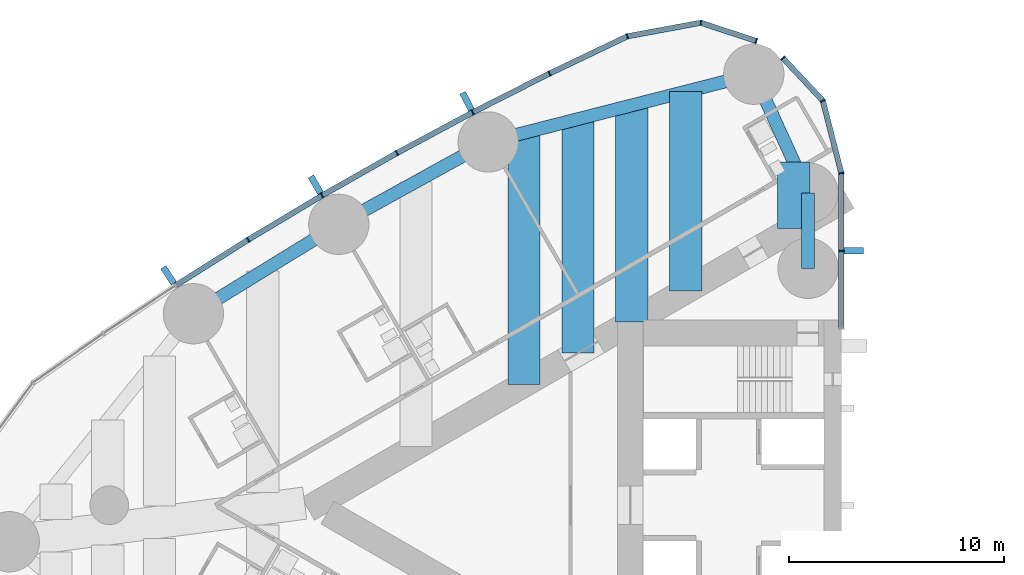
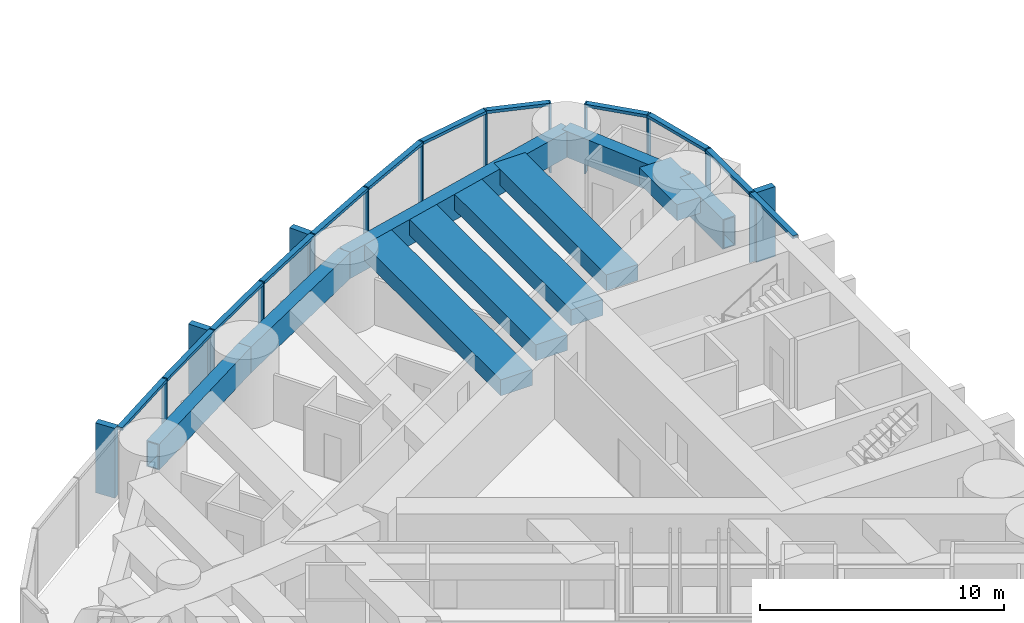
# One storey, part 5 of 21: 28 members, 10 beams, 2 elements without a shape of their own.
"""IFC4 building model written with IfcOpenShell, lengths in metres."""

import ifcopenshell
import ifcopenshell.guid

model = None  # the IFC model being written
_history = None  # IfcOwnerHistory: only IFC2X3 demands one
_inside = {}  # id of a spatial element -> (the spatial element, [elements in it])
_under = {}  # id of a project, library or spatial element -> (it, [spatial elements below it])
_declared = {}  # id of a project -> (the project, [libraries it declares])
_typed = {}  # id of a type object -> (the type object, [elements of that type])
_made_of = {}  # id of a material, layer set ... -> (it, [elements and type objects made of it])


def new_model(schema):
    """Start an empty IFC model of exactly this schema.

    Asked for "IFC4X3", IfcOpenShell would pick the latest addendum, in which some entities
    have other attributes; the version numbers below select the first issue.
    IFC2X3 requires an IfcOwnerHistory on every rooted entity: one is made here for all.
    """
    global model, _history
    if schema == "IFC4X3":
        model = ifcopenshell.file(schema_version=(4, 3, 0, 0))
    else:
        model = ifcopenshell.file(schema=schema)
    _inside.clear()
    _under.clear()
    _declared.clear()
    _typed.clear()
    _made_of.clear()
    _history = None
    if model.schema == "IFC2X3":
        org = make("IfcOrganization", Name="unknown")
        user = make(
            "IfcPersonAndOrganization",
            ThePerson=make("IfcPerson", FamilyName="unknown"),
            TheOrganization=org,
        )
        app = make(
            "IfcApplication",
            ApplicationDeveloper=org,
            Version="unknown",
            ApplicationFullName="unknown",
            ApplicationIdentifier="unknown",
        )
        _history = make(
            "IfcOwnerHistory",
            OwningUser=user,
            OwningApplication=app,
            ChangeAction="ADDED",
            CreationDate=0,
        )
    return model


def make(cls, **values):
    """One entity of the class cls with the attributes given. An attribute that is None is left unset."""
    return model.create_entity(
        cls, **{name: value for name, value in values.items() if value is not None}
    )


def rooted(cls, **values):
    """An entity with a GlobalId (a new one), such as an element, a storey or a relation."""
    return make(cls, GlobalId=ifcopenshell.guid.new(), OwnerHistory=_history, **values)


def si_unit(unit_type, name, prefix=None):
    """IfcSIUnit, for example si_unit("LENGTHUNIT", "METRE", prefix="MILLI")."""
    return make("IfcSIUnit", UnitType=unit_type, Prefix=prefix, Name=name)


def assignment(units):
    """IfcUnitAssignment: the units of a project."""
    return None if units is None else make("IfcUnitAssignment", Units=units)


def point(xyz):
    """IfcCartesianPoint."""
    return None if xyz is None else make("IfcCartesianPoint", Coordinates=xyz)


def direction(xyz):
    """IfcDirection."""
    return None if xyz is None else make("IfcDirection", DirectionRatios=xyz)


def frame(location, z_axis=None, x_axis=None):
    """IfcAxis2Placement3D, a coordinate frame: its origin and axes. An axis left out is left unset."""
    return make(
        "IfcAxis2Placement3D",
        Location=point(location),
        Axis=direction(z_axis),
        RefDirection=direction(x_axis),
    )


def frame_2d(location, x_axis=None):
    """IfcAxis2Placement2D, a coordinate frame in the plane: its origin and x axis."""
    return make(
        "IfcAxis2Placement2D", Location=point(location), RefDirection=direction(x_axis)
    )


def origin():
    """The frame at (0, 0, 0) with its axes left unset."""
    return frame((0.0, 0.0, 0.0))


def origin_2d():
    """The frame at (0, 0) in the plane with its x axis left unset."""
    return frame_2d((0.0, 0.0))


def place(relative_to, where):
    """IfcLocalPlacement: puts the frame where relative to a parent placement (None: the world)."""
    return make(
        "IfcLocalPlacement", PlacementRelTo=relative_to, RelativePlacement=where
    )


def context(
    kind, dimensions, precision=None, world=None, true_north=None, identifier=None
):
    """IfcGeometricRepresentationContext, for example the 3D "Model" context."""
    return make(
        "IfcGeometricRepresentationContext",
        ContextIdentifier=identifier,
        ContextType=kind,
        CoordinateSpaceDimension=dimensions,
        Precision=precision,
        WorldCoordinateSystem=world,
        TrueNorth=true_north,
    )


def subcontext(parent, identifier, kind, view, scale=None):
    """IfcGeometricRepresentationSubContext, for example "Body" below "Model"."""
    return make(
        "IfcGeometricRepresentationSubContext",
        ContextIdentifier=identifier,
        ContextType=kind,
        ParentContext=parent,
        TargetScale=scale,
        TargetView=view,
    )


def project(units=None, contexts=None):
    """IfcProject with its units and contexts."""
    return rooted(
        "IfcProject",
        Name="project",
        RepresentationContexts=contexts,
        UnitsInContext=assignment(units),
    )


def spatial(cls, under=None, at=None, **own):
    """A site, building, storey or space (cls), placed at a placement, below another one or the project."""
    s = rooted(cls, ObjectPlacement=at, **own)
    if under is not None:
        _under.setdefault(under.id(), (under, []))[1].append(s)
    return s


def profile(cls, at=None, kind="AREA", **sizes):
    """A parametric profile (cls). Its sizes go by their IFC names, for example OverallWidth=200.0."""
    return make(cls, ProfileType=kind, Position=at, **sizes)


def rectangle(**sizes):
    """IfcRectangleProfileDef."""
    return profile("IfcRectangleProfileDef", **sizes)


def hollow_rectangle(**sizes):
    """IfcRectangleHollowProfileDef."""
    return profile("IfcRectangleHollowProfileDef", **sizes)


def extrude(swept, where, along, depth):
    """IfcExtrudedAreaSolid: the profile swept, set in the frame where, extruded along a direction by depth."""
    return make(
        "IfcExtrudedAreaSolid",
        SweptArea=swept,
        Position=where,
        ExtrudedDirection=direction(along),
        Depth=depth,
    )


def shape(context_of_items, identifier, shape_type, items):
    """IfcShapeRepresentation: the items that make up one representation, for example the "Body"."""
    return make(
        "IfcShapeRepresentation",
        ContextOfItems=context_of_items,
        RepresentationIdentifier=identifier,
        RepresentationType=shape_type,
        Items=items,
    )


def material(Name=None, Category=None):
    """IfcMaterial."""
    return make("IfcMaterial", Name=Name, Category=Category)


def material_profile(
    of_material, cross_section, Name=None, Category=None, Priority=None
):
    """IfcMaterialProfile: a cross section and its material."""
    return make(
        "IfcMaterialProfile",
        Name=Name,
        Material=of_material,
        Profile=cross_section,
        Priority=Priority,
        Category=Category,
    )


def profile_set(profiles, Name=None, composite=None):
    """IfcMaterialProfileSet."""
    return make(
        "IfcMaterialProfileSet",
        Name=Name,
        MaterialProfiles=profiles,
        CompositeProfile=composite,
    )


def made_of(thing, what):
    """Note that an element or type object is made of a material, layer set ...; save() writes the relation."""
    if what is not None:
        _made_of.setdefault(what.id(), (what, []))[1].append(thing)
    return thing


def type_object(cls, material=None, **own):
    """A type object (cls), such as IfcWallType, which elements share."""
    return made_of(rooted(cls, **own), material)


def element(
    cls,
    number,
    at=None,
    inside=None,
    cuts=None,
    type_object=None,
    material=None,
    context=None,
    identifier="Body",
    shape_type=None,
    held_by="IfcProductDefinitionShape",
    body=None,
    shapes=None,
    **own,
):
    """One element of the class cls, such as IfcWall. Its Tag is "e" and its number.

    at: its placement. inside: the storey or other place that contains it. cuts: it is an
    opening in that element (IfcRelVoidsElement). A single representation is given by context,
    identifier, shape_type and body (its items); several are given by shapes. held_by: the class
    of the entity that holds the representations. save() writes the other relations.
    """
    e = rooted(cls, Tag="e%d" % number, ObjectPlacement=at, **own)
    if body is not None:
        shapes = [shape(context, identifier, shape_type, body)]
    if shapes is not None:
        e.Representation = make(held_by, Representations=shapes)
    if inside is not None:
        _inside.setdefault(inside.id(), (inside, []))[1].append(e)
    if cuts is not None:
        rooted(
            "IfcRelVoidsElement", RelatingBuildingElement=cuts, RelatedOpeningElement=e
        )
    if type_object is not None:
        _typed.setdefault(type_object.id(), (type_object, []))[1].append(e)
    return made_of(e, material)


def aggregate(whole, parts):
    """IfcRelAggregates: a whole, such as a stair, and the parts it consists of."""
    return rooted("IfcRelAggregates", RelatingObject=whole, RelatedObjects=parts)


def save(model, path):
    """Write the relations noted so far, then the file.

    IfcRelAggregates (storeys below a building ...), IfcRelContainedInSpatialStructure (elements
    in a storey), IfcRelDefinesByType, IfcRelAssociatesMaterial and IfcRelDeclares: one each for
    every whole, place, type object, material and project.
    """
    for whole, parts in _under.values():
        aggregate(whole, parts)
    for where, things in _inside.values():
        rooted(
            "IfcRelContainedInSpatialStructure",
            RelatedElements=things,
            RelatingStructure=where,
        )
    for kind, things in _typed.values():
        rooted("IfcRelDefinesByType", RelatedObjects=things, RelatingType=kind)
    for what, things in _made_of.values():
        rooted("IfcRelAssociatesMaterial", RelatedObjects=things, RelatingMaterial=what)
    for by, libraries in _declared.values():
        rooted("IfcRelDeclares", RelatingContext=by, RelatedDefinitions=libraries)
    model.write(path)


model = new_model("IFC4")

# Units and contexts
model_context = context("Model", 3, precision=1e-05, world=origin(), true_north=direction((0.0, 1.0)))
body_context = subcontext(model_context, "Body", "Model", "MODEL_VIEW")
ifc_project = project(units=[si_unit("LENGTHUNIT", "METRE"), si_unit("AREAUNIT", "SQUARE_METRE"), si_unit("VOLUMEUNIT", "CUBIC_METRE"), si_unit("PLANEANGLEUNIT", "RADIAN"), si_unit("MASSUNIT", "GRAM", prefix="KILO")], contexts=[model_context])

# Site, building, storey
site_placement = place(None, origin())
site = spatial("IfcSite", under=ifc_project, at=site_placement, CompositionType="ELEMENT")
building_placement = place(site_placement, origin())
building = spatial("IfcBuilding", under=site, at=building_placement, Name="Lancet Gate Hotel", CompositionType="ELEMENT")
storey_placement = place(building_placement, frame((0.0, 0.0, 156.300048828125)))
storey = spatial("IfcBuildingStorey", under=building, at=storey_placement, Name="L41", CompositionType="ELEMENT", Elevation=156.300048828125)

# Curtain wall, members
ifc_material_1 = material(Name="Aluminium curtain wall", Category="aluminium")
curtain_wall_type = type_object("IfcCurtainWallType", Name="Tower unitised curtain wall", PredefinedType="USERDEFINED", material=ifc_material_1)
curtain_wall_1_placement = place(storey_placement, origin())
curtain_wall_1 = element("IfcCurtainWall", 1, at=curtain_wall_1_placement, inside=storey, type_object=curtain_wall_type, Name="T1 L41 curtain wall 1", ObjectType="UNITISED CURTAIN WALL", PredefinedType="USERDEFINED")
ifc_material_2 = material(Name="Aluminium mullion", Category="aluminium")
ifc_material_profile_1 = material_profile(ifc_material_2, rectangle(XDim=0.06494140625, YDim=0.25, at=origin_2d()), Name="MULLION 65x250")
ifc_profile_set_1 = profile_set([ifc_material_profile_1], Name="Aluminium mullion")
member_type_1 = type_object("IfcMemberType", Name="Aluminium mullion 65x250", PredefinedType="MULLION", material=ifc_profile_set_1)
member_1_placement = place(storey_placement, frame((-27.5, 11.811767578125, 0.0), z_axis=(0.0, 0.0, 1.0), x_axis=(0.0, 1.0, 0.0)))
member_1 = element("IfcMember", 2, at=member_1_placement, type_object=member_type_1, Name="T1 L41 curtain wall 1 mullion 2", PredefinedType="MULLION", context=body_context, shape_type="SweptSolid", body=[
    extrude(rectangle(XDim=0.06494140625, YDim=0.25, at=origin_2d()), origin(), (0.0, 0.0, 1.0), 3.5),
])
member_2_placement = place(storey_placement, frame((-27.5, 15.42333984375, 0.0), z_axis=(0.0, 0.0, 1.0), x_axis=(-0.122467472845, 0.992472527627, 0.0)))
member_2 = element("IfcMember", 3, at=member_2_placement, type_object=member_type_1, Name="T1 L41 curtain wall 1 mullion 3", PredefinedType="MULLION", context=body_context, shape_type="SweptSolid", body=[
    extrude(rectangle(XDim=0.06494140625, YDim=0.25, at=origin_2d()), origin(), (0.0, 0.0, 1.0), 3.5),
])
member_3_placement = place(storey_placement, frame((-28.360595703125, 18.7861328125, 0.0), z_axis=(0.0, 0.0, 1.0), x_axis=(-0.452507601198, 0.891760545695, 0.0)))
member_3 = element("IfcMember", 4, at=member_3_placement, type_object=member_type_1, Name="T1 L41 curtain wall 1 mullion 4", PredefinedType="MULLION", context=body_context, shape_type="SweptSolid", body=[
    extrude(rectangle(XDim=0.06494140625, YDim=0.25, at=origin_2d()), origin(), (0.0, 0.0, 1.0), 3.5),
])
member_4_placement = place(storey_placement, frame((-30.210693359375, 20.765625, 0.0), z_axis=(0.0, 0.0, 1.0), x_axis=(-0.682844962172, 0.730563315282, 0.0)))
member_4 = element("IfcMember", 5, at=member_4_placement, type_object=member_type_1, Name="T1 L41 curtain wall 1 mullion 5", PredefinedType="MULLION", context=body_context, shape_type="SweptSolid", body=[
    extrude(rectangle(XDim=0.06494140625, YDim=0.25, at=origin_2d()), origin(), (0.0, 0.0, 1.0), 3.5),
])

curtain_wall_2_placement = place(storey_placement, origin())
curtain_wall_2 = element("IfcCurtainWall", 6, at=curtain_wall_2_placement, inside=storey, type_object=curtain_wall_type, Name="T1 L41 curtain wall 2", ObjectType="UNITISED CURTAIN WALL", PredefinedType="USERDEFINED")
member_5_placement = place(storey_placement, frame((-31.45263671875, 21.5595703125, 0.0), z_axis=(0.0, 0.0, 1.0), x_axis=(-0.949848055084, 0.312711803827, 0.0)))
member_5 = element("IfcMember", 7, at=member_5_placement, type_object=member_type_1, Name="T1 L41 curtain wall 2 mullion 1", PredefinedType="MULLION", context=body_context, shape_type="SweptSolid", body=[
    extrude(rectangle(XDim=0.06494140625, YDim=0.25, at=origin_2d()), origin(), (0.0, 0.0, 1.0), 3.5),
])
member_6_placement = place(storey_placement, frame((-34.02783203125, 22.407470703125, 0.0), z_axis=(0.0, 0.0, 1.0), x_axis=(-0.999350473622, 0.036036521361, 0.0)))
member_6 = element("IfcMember", 8, at=member_6_placement, type_object=member_type_1, Name="T1 L41 curtain wall 2 mullion 2", PredefinedType="MULLION", context=body_context, shape_type="SweptSolid", body=[
    extrude(rectangle(XDim=0.06494140625, YDim=0.25, at=origin_2d()), origin(), (0.0, 0.0, 1.0), 3.5),
])
member_7_placement = place(storey_placement, frame((-37.44091796875, 21.775634765625, 0.0), z_axis=(0.0, 0.0, 1.0), x_axis=(-0.948119321052, -0.317914694609, 0.0)))
member_7 = element("IfcMember", 9, at=member_7_placement, type_object=member_type_1, Name="T1 L41 curtain wall 2 mullion 3", PredefinedType="MULLION", context=body_context, shape_type="SweptSolid", body=[
    extrude(rectangle(XDim=0.06494140625, YDim=0.25, at=origin_2d()), origin(), (0.0, 0.0, 1.0), 3.5),
])
member_8_placement = place(storey_placement, frame((-41.0498046875, 20.052978515625, 0.0), z_axis=(0.0, 0.0, 1.0), x_axis=(-0.897324392142, -0.441371652088, 0.0)))
member_8 = element("IfcMember", 10, at=member_8_placement, type_object=member_type_1, Name="T1 L41 curtain wall 2 mullion 4", PredefinedType="MULLION", context=body_context, shape_type="SweptSolid", body=[
    extrude(rectangle(XDim=0.06494140625, YDim=0.25, at=origin_2d()), origin(), (0.0, 0.0, 1.0), 3.5),
])
member_9_placement = place(storey_placement, frame((-44.6171875, 18.245849609375, 0.0), z_axis=(0.0, 0.0, 1.0), x_axis=(-0.886694440064, -0.462355891019, 0.0)))
member_9 = element("IfcMember", 11, at=member_9_placement, type_object=member_type_1, Name="T1 L41 curtain wall 2 mullion 5", PredefinedType="MULLION", context=body_context, shape_type="SweptSolid", body=[
    extrude(rectangle(XDim=0.06494140625, YDim=0.25, at=origin_2d()), origin(), (0.0, 0.0, 1.0), 3.5),
])
member_10_placement = place(storey_placement, frame((-48.140869140625, 16.355224609375, 0.0), z_axis=(0.0, 0.0, 1.0), x_axis=(-0.87557384965, -0.483084292654, 0.0)))
member_10 = element("IfcMember", 12, at=member_10_placement, type_object=member_type_1, Name="T1 L41 curtain wall 2 mullion 6", PredefinedType="MULLION", context=body_context, shape_type="SweptSolid", body=[
    extrude(rectangle(XDim=0.06494140625, YDim=0.25, at=origin_2d()), origin(), (0.0, 0.0, 1.0), 3.5),
])
member_11_placement = place(storey_placement, frame((-51.619384765625, 14.38232421875, 0.0), z_axis=(0.0, 0.0, 1.0), x_axis=(-0.863968774311, -0.503545387245, 0.0)))
member_11 = element("IfcMember", 13, at=member_11_placement, type_object=member_type_1, Name="T1 L41 curtain wall 2 mullion 7", PredefinedType="MULLION", context=body_context, shape_type="SweptSolid", body=[
    extrude(rectangle(XDim=0.06494140625, YDim=0.25, at=origin_2d()), origin(), (0.0, 0.0, 1.0), 3.5),
])
member_12_placement = place(storey_placement, frame((-55.05029296875, 12.328369140625, 0.0), z_axis=(0.0, 0.0, 1.0), x_axis=(-0.851885635531, -0.52372785297, 0.0)))
member_12 = element("IfcMember", 14, at=member_12_placement, type_object=member_type_1, Name="T1 L41 curtain wall 2 mullion 8", PredefinedType="MULLION", context=body_context, shape_type="SweptSolid", body=[
    extrude(rectangle(XDim=0.06494140625, YDim=0.25, at=origin_2d()), origin(), (0.0, 0.0, 1.0), 3.5),
])

# Member
ifc_material_3 = material(Name="Aluminium transom", Category="aluminium")
ifc_material_profile_2 = material_profile(ifc_material_3, rectangle(XDim=0.25, YDim=0.14990234375, at=origin_2d()), Name="TRANSOM 250x150")
ifc_profile_set_2 = profile_set([ifc_material_profile_2], Name="Aluminium transom")
member_type_2 = type_object("IfcMemberType", Name="Aluminium transom 250x150", PredefinedType="USERDEFINED", material=ifc_profile_set_2)
member_13_placement = place(storey_placement, frame((-27.5, 8.232421875, 3.425048828125), z_axis=(0.0, 1.0, 0.0), x_axis=(-1.0, 0.0, 0.0)))
member_13 = element("IfcMember", 15, at=member_13_placement, type_object=member_type_2, Name="T1 L41 curtain wall 1 transom 1", ObjectType="TRANSOM", PredefinedType="USERDEFINED", context=body_context, shape_type="SweptSolid", body=[
    extrude(rectangle(XDim=0.25, YDim=0.14990234375, at=origin_2d()), origin(), (0.0, 0.0, 1.0), 3.546875),
])

member_14_placement = place(storey_placement, frame((-27.5, 11.84423828125, 3.425048828125), z_axis=(0.0, 1.0, 0.0), x_axis=(-1.0, 0.0, 0.0)))
member_14 = element("IfcMember", 16, at=member_14_placement, type_object=member_type_2, Name="T1 L41 curtain wall 1 transom 2", ObjectType="TRANSOM", PredefinedType="USERDEFINED", context=body_context, shape_type="SweptSolid", body=[
    extrude(rectangle(XDim=0.25, YDim=0.14990234375, at=origin_2d()), origin(), (0.0, 0.0, 1.0), 3.546630859375),
])

member_15_placement = place(storey_placement, frame((-27.508056640625, 15.454833984375, 3.425048828125), z_axis=(-0.247928683912, 0.968778286139, 0.0), x_axis=(-0.968778286139, -0.247928683912, 0.0)))
member_15 = element("IfcMember", 17, at=member_15_placement, type_object=member_type_2, Name="T1 L41 curtain wall 1 transom 3", ObjectType="TRANSOM", PredefinedType="USERDEFINED", context=body_context, shape_type="SweptSolid", body=[
    extrude(rectangle(XDim=0.25, YDim=0.14990234375, at=origin_2d()), origin(), (0.0, 0.0, 1.0), 3.40625),
])

member_16_placement = place(storey_placement, frame((-28.3828125, 18.809814453125, 3.425048828125), z_axis=(-0.682841037959, 0.730566983157, 0.0), x_axis=(-0.730566983157, -0.682841037959, 0.0)))
member_16 = element("IfcMember", 18, at=member_16_placement, type_object=member_type_2, Name="T1 L41 curtain wall 1 transom 4", ObjectType="TRANSOM", PredefinedType="USERDEFINED", context=body_context, shape_type="SweptSolid", body=[
    extrude(rectangle(XDim=0.25, YDim=0.14990234375, at=origin_2d()), origin(), (0.0, 0.0, 1.0), 2.644775390625),
])

member_17_placement = place(storey_placement, frame((-31.483642578125, 21.56982421875, 3.425048828125), z_axis=(-0.949857661259, 0.312682623993, 0.0), x_axis=(-0.312682623993, -0.949857661259, 0.0)))
member_17 = element("IfcMember", 19, at=member_17_placement, type_object=member_type_2, Name="T1 L41 curtain wall 2 transom 1", ObjectType="TRANSOM", PredefinedType="USERDEFINED", context=body_context, shape_type="SweptSolid", body=[
    extrude(rectangle(XDim=0.25, YDim=0.14990234375, at=origin_2d()), origin(), (0.0, 0.0, 1.0), 2.64599609375),
])

member_18_placement = place(storey_placement, frame((-34.059814453125, 22.401611328125, 3.425048828125), z_axis=(-0.983286757871, -0.182063592724, 0.0), x_axis=(0.182063592724, -0.983286757871, 0.0)))
member_18 = element("IfcMember", 20, at=member_18_placement, type_object=member_type_2, Name="T1 L41 curtain wall 2 transom 2", ObjectType="TRANSOM", PredefinedType="USERDEFINED", context=body_context, shape_type="SweptSolid", body=[
    extrude(rectangle(XDim=0.25, YDim=0.14990234375, at=origin_2d()), origin(), (0.0, 0.0, 1.0), 3.406005859375),
])

member_19_placement = place(storey_placement, frame((-37.47021484375, 21.761474609375, 3.425048828125), z_axis=(-0.902468975385, -0.430754858902, 0.0), x_axis=(0.430754858902, -0.902468975385, 0.0)))
member_19 = element("IfcMember", 21, at=member_19_placement, type_object=member_type_2, Name="T1 L41 curtain wall 2 transom 3", ObjectType="TRANSOM", PredefinedType="USERDEFINED", context=body_context, shape_type="SweptSolid", body=[
    extrude(rectangle(XDim=0.25, YDim=0.14990234375, at=origin_2d()), origin(), (0.0, 0.0, 1.0), 3.93408203125),
])

member_20_placement = place(storey_placement, frame((-41.078857421875, 20.0380859375, 3.425048828125), z_axis=(-0.892081477453, -0.451874581699, 0.0), x_axis=(0.451874581699, -0.892081477453, 0.0)))
member_20 = element("IfcMember", 22, at=member_20_placement, type_object=member_type_2, Name="T1 L41 curtain wall 2 transom 4", ObjectType="TRANSOM", PredefinedType="USERDEFINED", context=body_context, shape_type="SweptSolid", body=[
    extrude(rectangle(XDim=0.25, YDim=0.14990234375, at=origin_2d()), origin(), (0.0, 0.0, 1.0), 3.933837890625),
])

member_21_placement = place(storey_placement, frame((-44.645751953125, 18.23046875, 3.425048828125), z_axis=(-0.881185491994, -0.472770693571, 0.0), x_axis=(0.472770693571, -0.881185491994, 0.0)))
member_21 = element("IfcMember", 23, at=member_21_placement, type_object=member_type_2, Name="T1 L41 curtain wall 2 transom 5", ObjectType="TRANSOM", PredefinedType="USERDEFINED", context=body_context, shape_type="SweptSolid", body=[
    extrude(rectangle(XDim=0.25, YDim=0.14990234375, at=origin_2d()), origin(), (0.0, 0.0, 1.0), 3.93408203125),
])

member_22_placement = place(storey_placement, frame((-48.169189453125, 16.33935546875, 3.425048828125), z_axis=(-0.869819807367, -0.493369539709, 0.0), x_axis=(0.493369539709, -0.869819807367, 0.0)))
member_22 = element("IfcMember", 24, at=member_22_placement, type_object=member_type_2, Name="T1 L41 curtain wall 2 transom 6", ObjectType="TRANSOM", PredefinedType="USERDEFINED", context=body_context, shape_type="SweptSolid", body=[
    extrude(rectangle(XDim=0.25, YDim=0.14990234375, at=origin_2d()), origin(), (0.0, 0.0, 1.0), 3.93408203125),
])

member_23_placement = place(storey_placement, frame((-51.647216796875, 14.36572265625, 3.425048828125), z_axis=(-0.857985365092, -0.513674131419, 0.0), x_axis=(0.513674131419, -0.857985365092, 0.0)))
member_23 = element("IfcMember", 25, at=member_23_placement, type_object=member_type_2, Name="T1 L41 curtain wall 2 transom 7", ObjectType="TRANSOM", PredefinedType="USERDEFINED", context=body_context, shape_type="SweptSolid", body=[
    extrude(rectangle(XDim=0.25, YDim=0.14990234375, at=origin_2d()), origin(), (0.0, 0.0, 1.0), 3.933837890625),
])

member_24_placement = place(storey_placement, frame((-55.077880859375, 12.31103515625, 3.425048828125), z_axis=(-0.845671711095, -0.53370343549, 0.0), x_axis=(0.53370343549, -0.845671711095, 0.0)))
member_24 = element("IfcMember", 26, at=member_24_placement, type_object=member_type_2, Name="T1 L41 curtain wall 2 transom 8", ObjectType="TRANSOM", PredefinedType="USERDEFINED", context=body_context, shape_type="SweptSolid", body=[
    extrude(rectangle(XDim=0.25, YDim=0.14990234375, at=origin_2d()), origin(), (0.0, 0.0, 1.0), 3.93408203125),
])

# Beams
ifc_material_4 = material(Name="Steel S460QL", Category="steel")
ifc_material_profile_3 = material_profile(ifc_material_4, hollow_rectangle(XDim=0.60009765625, YDim=1.300048828125, WallThickness=0.050048828125, at=origin_2d()), Name="BOX 1300x600x50")
ifc_profile_set_3 = profile_set([ifc_material_profile_3], Name="Steel S460QL")
beam_type_1 = type_object("IfcBeamType", Name="Edge beam BOX 1300x600x50", PredefinedType="SPANDREL", material=ifc_profile_set_3)
beam_1_placement = place(storey_placement, frame((-31.5654296875, 20.015869140625, 2.599853515625), z_axis=(-0.969008414312, -0.247027717052, 0.0), x_axis=(0.247027717052, -0.969008414312, 0.0)))
element("IfcBeam", 27, at=beam_1_placement, inside=storey, type_object=beam_type_1, Name="T1 edge beam EB2 L41", PredefinedType="SPANDREL", context=body_context, shape_type="SweptSolid", body=[
    extrude(hollow_rectangle(XDim=0.60009765625, YDim=1.300048828125, WallThickness=0.050048828125, at=origin_2d()), origin(), (0.0, 0.0, 1.0), 12.7294921875),
])
beam_2_placement = place(storey_placement, frame((-43.900390625, 16.871337890625, 2.599853515625), z_axis=(-0.875577684027, -0.483077342911, 0.0), x_axis=(0.483077342911, -0.875577684027, 0.0)))
element("IfcBeam", 28, at=beam_2_placement, inside=storey, type_object=beam_type_1, Name="T1 edge beam EB2 L41", PredefinedType="SPANDREL", context=body_context, shape_type="SweptSolid", body=[
    extrude(hollow_rectangle(XDim=0.60009765625, YDim=1.300048828125, WallThickness=0.050048828125, at=origin_2d()), origin(), (0.0, 0.0, 1.0), 7.924560546875),
])
beam_3_placement = place(storey_placement, frame((-50.8388671875, 13.043212890625, 2.599853515625), z_axis=(-0.851892008043, -0.523717487423, 0.0), x_axis=(0.523717487423, -0.851892008043, 0.0)))
element("IfcBeam", 29, at=beam_3_placement, inside=storey, type_object=beam_type_1, Name="T1 edge beam EB2 L41", PredefinedType="SPANDREL", context=body_context, shape_type="SweptSolid", body=[
    extrude(hollow_rectangle(XDim=0.60009765625, YDim=1.300048828125, WallThickness=0.050048828125, at=origin_2d()), origin(), (0.0, 0.0, 1.0), 7.92431640625),
])
beam_4_placement = place(storey_placement, frame((-31.5654296875, 20.015869140625, 2.599853515625), z_axis=(0.414919206993, -0.909858259109, 0.0), x_axis=(0.909858259109, 0.414919206993, 0.0)))
element("IfcBeam", 30, at=beam_4_placement, inside=storey, type_object=beam_type_1, Name="T1 edge beam EB2 L41", PredefinedType="SPANDREL", context=body_context, shape_type="SweptSolid", body=[
    extrude(hollow_rectangle(XDim=0.60009765625, YDim=1.300048828125, WallThickness=0.050048828125, at=origin_2d()), origin(), (0.0, 0.0, 1.0), 6.062255859375),
])

# Member
ifc_material_5 = material(Name="Precast concrete C50/60", Category="concrete")
ifc_material_profile_4 = material_profile(ifc_material_5, rectangle(XDim=0.300048828125, YDim=0.89990234375, at=origin_2d()), Name="FIN 300x900")
ifc_profile_set_4 = profile_set([ifc_material_profile_4], Name="Precast concrete C50/60")
member_type_3 = type_object("IfcMemberType", Name="Exposed concrete fin 300x900", PredefinedType="USERDEFINED", material=ifc_profile_set_4)
member_25_placement = place(storey_placement, frame((-26.925048828125, 11.811767578125, 0.0), z_axis=(0.0, 0.0, 1.0), x_axis=(0.0, 1.0, 0.0)))
member_25 = element("IfcMember", 31, at=member_25_placement, type_object=member_type_3, Name="T1 L41 curtain wall 1 fin 2", ObjectType="FIN", PredefinedType="USERDEFINED", context=body_context, shape_type="SweptSolid", body=[
    extrude(rectangle(XDim=0.300048828125, YDim=0.89990234375, at=origin_2d()), origin(), (0.0, 0.0, 1.0), 3.5),
])

aggregate(curtain_wall_1, [member_1, member_25, member_2, member_3, member_4, member_13, member_14, member_15, member_16])

member_26_placement = place(storey_placement, frame((-44.883056640625, 18.755615234375, 0.0), z_axis=(0.0, 0.0, 1.0), x_axis=(-0.886694440064, -0.462355891019, 0.0)))
member_26 = element("IfcMember", 32, at=member_26_placement, type_object=member_type_3, Name="T1 L41 curtain wall 2 fin 5", ObjectType="FIN", PredefinedType="USERDEFINED", context=body_context, shape_type="SweptSolid", body=[
    extrude(rectangle(XDim=0.300048828125, YDim=0.89990234375, at=origin_2d()), origin(), (0.0, 0.0, 1.0), 3.5),
])

member_27_placement = place(storey_placement, frame((-51.908935546875, 14.879150390625, 0.0), z_axis=(0.0, 0.0, 1.0), x_axis=(-0.863968774311, -0.503545387245, 0.0)))
member_27 = element("IfcMember", 33, at=member_27_placement, type_object=member_type_3, Name="T1 L41 curtain wall 2 fin 7", ObjectType="FIN", PredefinedType="USERDEFINED", context=body_context, shape_type="SweptSolid", body=[
    extrude(rectangle(XDim=0.300048828125, YDim=0.89990234375, at=origin_2d()), origin(), (0.0, 0.0, 1.0), 3.5),
])

member_28_placement = place(storey_placement, frame((-58.74462890625, 10.6767578125, 0.0), z_axis=(0.0, 0.0, 1.0), x_axis=(-0.839331119324, -0.54362052218, 0.0)))
member_28 = element("IfcMember", 34, at=member_28_placement, type_object=member_type_3, Name="T1 L41 curtain wall 2 fin 9", ObjectType="FIN", PredefinedType="USERDEFINED", context=body_context, shape_type="SweptSolid", body=[
    extrude(rectangle(XDim=0.300048828125, YDim=0.89990234375, at=origin_2d()), origin(), (0.0, 0.0, 1.0), 3.5),
])

aggregate(curtain_wall_2, [member_5, member_6, member_7, member_8, member_9, member_26, member_10, member_11, member_27, member_12, member_28, member_17, member_18, member_19, member_20, member_21, member_22, member_23, member_24])

# Beams
ifc_material_6 = material(Name="Concrete C50/60", Category="concrete")
ifc_material_profile_5 = material_profile(ifc_material_6, rectangle(XDim=1.5, YDim=0.800048828125, at=origin_2d()), Name="RC 1500x800")
ifc_profile_set_5 = profile_set([ifc_material_profile_5], Name="Concrete C50/60")
beam_type_2 = type_object("IfcBeamType", Name="Floor beam RC 1500x800", PredefinedType="BEAM", material=ifc_profile_set_5)
beam_5_placement = place(storey_placement, frame((-29.706787109375, 15.940185546875, 2.849853515625), z_axis=(0.0, -1.0, 0.0), x_axis=(1.0, 0.0, 0.0)))
element("IfcBeam", 35, at=beam_5_placement, inside=storey, type_object=beam_type_2, Name="T1 floor beam F01S L41", PredefinedType="BEAM", context=body_context, shape_type="SweptSolid", body=[
    extrude(rectangle(XDim=1.5, YDim=0.800048828125, at=origin_2d()), origin(), (0.0, 0.0, 1.0), 3.087646484375),
])
beam_6_placement = place(storey_placement, frame((-34.720458984375, 19.211669921875, 2.849853515625), z_axis=(0.0, -1.0, 0.0), x_axis=(1.0, 0.0, 0.0)))
element("IfcBeam", 36, at=beam_6_placement, inside=storey, type_object=beam_type_2, Name="T1 floor beam F03S L41", PredefinedType="BEAM", context=body_context, shape_type="SweptSolid", body=[
    extrude(rectangle(XDim=1.5, YDim=0.800048828125, at=origin_2d()), origin(), (0.0, 0.0, 1.0), 9.253662109375),
])
beam_7_placement = place(storey_placement, frame((-37.227294921875, 18.572509765625, 2.849853515625), z_axis=(0.0, -1.0, 0.0), x_axis=(1.0, 0.0, 0.0)))
element("IfcBeam", 37, at=beam_7_placement, inside=storey, type_object=beam_type_2, Name="T1 floor beam F04S L41", PredefinedType="BEAM", context=body_context, shape_type="SweptSolid", body=[
    extrude(rectangle(XDim=1.5, YDim=0.800048828125, at=origin_2d()), origin(), (0.0, 0.0, 1.0), 10.061767578125),
])
beam_8_placement = place(storey_placement, frame((-39.734130859375, 17.93359375, 2.849853515625), z_axis=(0.0, -1.0, 0.0), x_axis=(1.0, 0.0, 0.0)))
element("IfcBeam", 38, at=beam_8_placement, inside=storey, type_object=beam_type_2, Name="T1 floor beam F06S L41", PredefinedType="BEAM", context=body_context, shape_type="SweptSolid", body=[
    extrude(rectangle(XDim=1.5, YDim=0.800048828125, at=origin_2d()), origin(), (0.0, 0.0, 1.0), 10.8701171875),
])
beam_9_placement = place(storey_placement, frame((-42.240966796875, 17.29443359375, 2.849853515625), z_axis=(0.0, -1.0, 0.0), x_axis=(1.0, 0.0, 0.0)))
element("IfcBeam", 39, at=beam_9_placement, inside=storey, type_object=beam_type_2, Name="T1 floor beam F07S L41", PredefinedType="BEAM", context=body_context, shape_type="SweptSolid", body=[
    extrude(rectangle(XDim=1.5, YDim=0.800048828125, at=origin_2d()), origin(), (0.0, 0.0, 1.0), 11.678466796875),
])
ifc_material_7 = material(Name="Steel S460QL", Category="steel")
ifc_material_profile_6 = material_profile(ifc_material_7, hollow_rectangle(XDim=0.60009765625, YDim=1.5, WallThickness=0.050048828125, at=origin_2d()), Name="BOX 1500x600x50")
ifc_profile_set_6 = profile_set([ifc_material_profile_6], Name="Steel S460QL")
beam_type_3 = type_object("IfcBeamType", Name="Inner-face link beam BOX 1500x600x50", PredefinedType="BEAM", material=ifc_profile_set_6)
beam_10_placement = place(storey_placement, frame((-29.050048828125, 14.5, 2.5), z_axis=(0.0, -1.0, 0.0), x_axis=(1.0, 0.0, 0.0)))
element("IfcBeam", 40, at=beam_10_placement, inside=storey, type_object=beam_type_3, Name="T1 inner-face link beam LK1 L41", PredefinedType="BEAM", context=body_context, shape_type="SweptSolid", body=[
    extrude(hollow_rectangle(XDim=0.60009765625, YDim=1.5, WallThickness=0.050048828125, at=origin_2d()), origin(), (0.0, 0.0, 1.0), 3.5),
])

save(model, "model.ifc")
